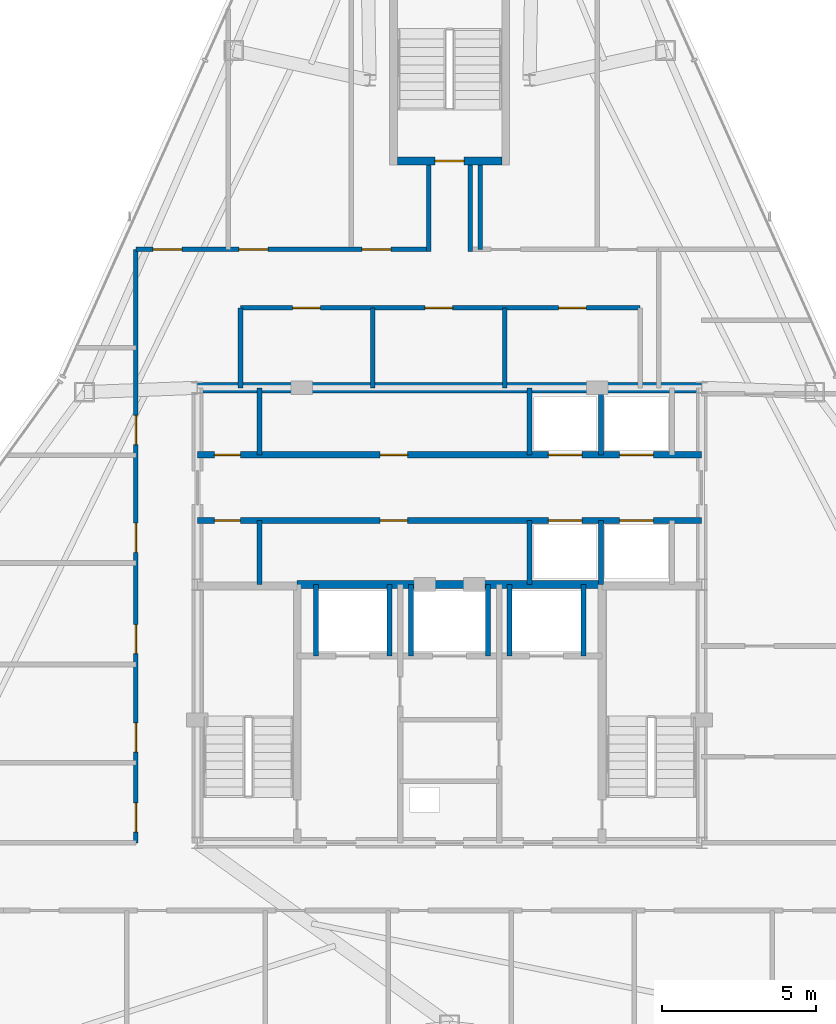
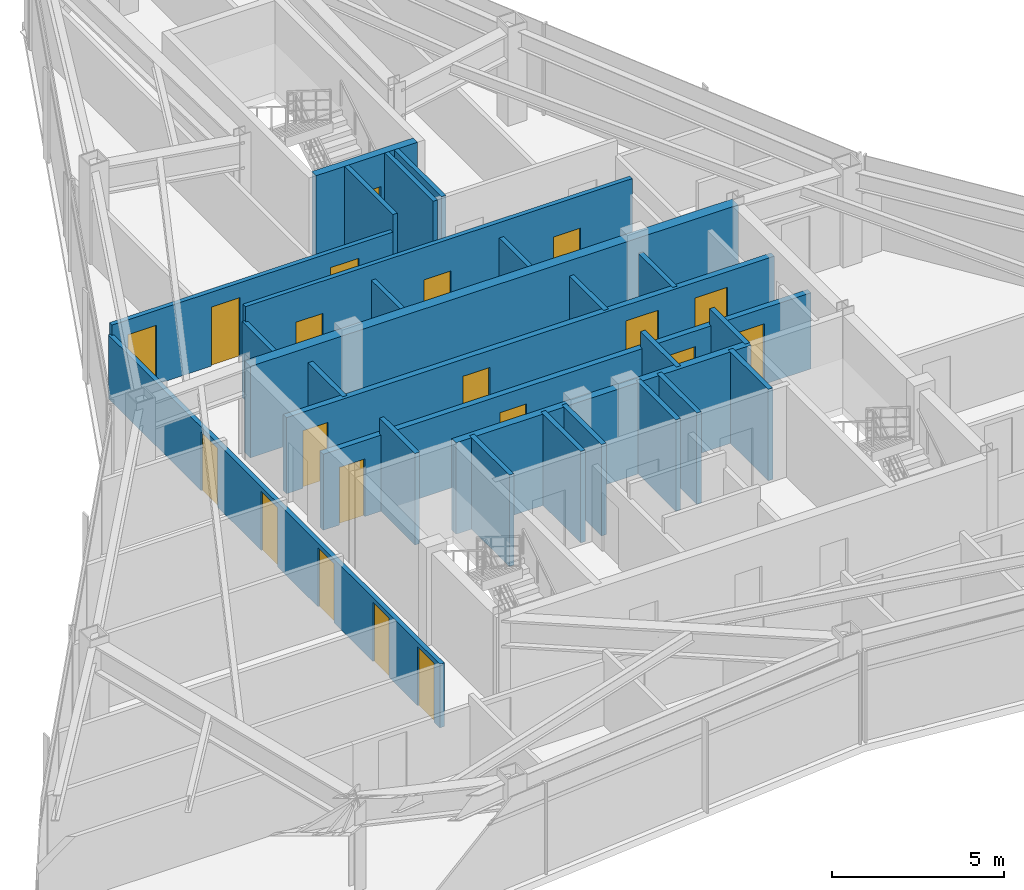
# One storey, part 10 of 12: 26 walls, 20 doors, 20 openings.
"""IFC4 building model written with IfcOpenShell, lengths in metres."""

from ifc_helpers import new_model, si_unit, direction, frame, frame_2d, origin, place, context, subcontext, project, spatial, rectangle, extrude, material, layer, layer_set, type_object, element, fill, save


model = new_model("IFC4")

# Units and contexts
model_context = context("Model", 3, precision=1e-05, world=origin(), true_north=direction((0.0, 1.0)))
body_context = subcontext(model_context, "Body", "Model", "MODEL_VIEW")
ifc_project = project(units=[si_unit("LENGTHUNIT", "METRE"), si_unit("AREAUNIT", "SQUARE_METRE"), si_unit("VOLUMEUNIT", "CUBIC_METRE"), si_unit("PLANEANGLEUNIT", "RADIAN"), si_unit("MASSUNIT", "GRAM", prefix="KILO")], contexts=[model_context])

# Site, building, storey
site_placement = place(None, origin())
site = spatial("IfcSite", under=ifc_project, at=site_placement, CompositionType="ELEMENT")
building_placement = place(site_placement, origin())
building = spatial("IfcBuilding", under=site, at=building_placement, Name="Varakhsha Concourse Tower", CompositionType="ELEMENT")
storey_placement = place(building_placement, frame((0.0, 0.0, 262.0)))
storey = spatial("IfcBuildingStorey", under=building, at=storey_placement, Name="L74", CompositionType="ELEMENT", Elevation=262.0)

# Wall
ifc_material_1 = material(Name="Concrete fc 65 MPa", Category="concrete")
ifc_layer_1 = layer(ifc_material_1, 0.35009765625, Name="WL-CORE-350")
ifc_layer_set_1 = layer_set([ifc_layer_1], Name="Concrete fc 65 MPa")
wall_type_1 = type_object("IfcWallType", Name="WL-CORE-350", PredefinedType="SHEAR", material=ifc_layer_set_1)
wall_1_placement = place(storey_placement, frame((31.800048828125, 31.199951171875, 0.0), z_axis=(0.0, 0.0, 1.0), x_axis=(1.0, 0.0, 0.0)))
element("IfcWall", 1, at=wall_1_placement, inside=storey, type_object=wall_type_1, Name="L74 Wall CWALL-N-L74", PredefinedType="SHEAR", context=body_context, shape_type="SweptSolid", body=[
    extrude(rectangle(XDim=16.39990234375, YDim=0.35009765625, at=frame_2d((8.199951171875, 0.0))), origin(), (0.0, 0.0, 1.0), 3.25),
])

# Wall, openings, doors
ifc_material_2 = material(Name="Fire-Rated Type X Gypsum Partition Assembly", Category="gypsum")
ifc_layer_2 = layer(ifc_material_2, 0.14990234375, Name="WL-PART-150")
ifc_layer_set_2 = layer_set([ifc_layer_2], Name="Fire-Rated Type X Gypsum Partition Assembly")
wall_type_2 = type_object("IfcWallType", Name="WL-PART-150", PredefinedType="PARTITIONING", material=ifc_layer_set_2)
wall_2_placement = place(storey_placement, frame((33.199951171875, 33.800048828125, 0.0), z_axis=(0.0, 0.0, 1.0), x_axis=(1.0, 0.0, 0.0)))
wall_2 = element("IfcWall", 2, at=wall_2_placement, inside=storey, type_object=wall_type_2, Name="L74 Wall NBOH-N-L74", PredefinedType="PARTITIONING", context=body_context, shape_type="SweptSolid", body=[
    extrude(rectangle(XDim=13.0, YDim=0.14990234375, at=frame_2d((6.5, 0.0))), origin(), (0.0, 0.0, 1.0), 3.25),
])
opening_1_placement = place(wall_2_placement, frame((1.699951171875, 0.0, 0.0)))
opening_1 = element("IfcOpeningElement", 3, at=opening_1_placement, cuts=wall_2, Name="Opening DF-06", PredefinedType="OPENING", context=body_context, shape_type="SweptSolid", body=[
    extrude(rectangle(XDim=0.89990234375, YDim=2.10009765625, at=frame_2d((0.449951171875, 1.050048828125))), frame((0.0, 0.0849609375, 0.0), z_axis=(0.0, -1.0, 0.0), x_axis=(1.0, 0.0, 0.0)), (0.0, 0.0, 1.0), 0.169921875),
])
opening_2_placement = place(wall_2_placement, frame((6.0, 0.0, 0.0)))
opening_2 = element("IfcOpeningElement", 4, at=opening_2_placement, cuts=wall_2, Name="Opening DF-06", PredefinedType="OPENING", context=body_context, shape_type="SweptSolid", body=[
    extrude(rectangle(XDim=0.89990234375, YDim=2.10009765625, at=frame_2d((0.449951171875, 1.050048828125))), frame((0.0, 0.0849609375, 0.0), z_axis=(0.0, -1.0, 0.0), x_axis=(1.0, 0.0, 0.0)), (0.0, 0.0, 1.0), 0.169921875),
])
opening_3_placement = place(wall_2_placement, frame((10.35009765625, 0.0, 0.0)))
opening_3 = element("IfcOpeningElement", 5, at=opening_3_placement, cuts=wall_2, Name="Opening DF-06", PredefinedType="OPENING", context=body_context, shape_type="SweptSolid", body=[
    extrude(rectangle(XDim=0.89990234375, YDim=2.10009765625, at=frame_2d((0.449951171875, 1.050048828125))), frame((0.0, 0.0849609375, 0.0), z_axis=(0.0, -1.0, 0.0), x_axis=(1.0, 0.0, 0.0)), (0.0, 0.0, 1.0), 0.169921875),
])
ifc_material_3 = material(Name="Hollow Galvanised Steel Fire Door Assembly", Category="steel")
door_type_1 = type_object("IfcDoorType", Name="DR-FD60-900", OperationType="NOTDEFINED", PredefinedType="DOOR", material=ifc_material_3)
door_1_placement = place(opening_1_placement, origin())
door_1 = element("IfcDoor", 6, at=door_1_placement, inside=storey, type_object=door_type_1, Name="L74 Men Restroom WC Door", OperationType="SINGLE_SWING_LEFT", OverallHeight=2.10009765625, OverallWidth=0.89990234375, PredefinedType="DOOR", context=body_context, shape_type="SweptSolid", body=[
    extrude(rectangle(XDim=0.89990234375, YDim=2.10009765625, at=frame_2d((0.449951171875, 1.050048828125))), frame((0.0, 0.02490234375, 0.0), z_axis=(0.0, -1.0, 0.0), x_axis=(1.0, 0.0, 0.0)), (0.0, 0.0, 1.0), 0.050048828125),
])
fill(opening_1, door_1)
door_2_placement = place(opening_2_placement, origin())
door_2 = element("IfcDoor", 7, at=door_2_placement, inside=storey, type_object=door_type_1, Name="L74 Women Restroom WC Door", OperationType="SINGLE_SWING_RIGHT", OverallHeight=2.10009765625, OverallWidth=0.89990234375, PredefinedType="DOOR", context=body_context, shape_type="SweptSolid", body=[
    extrude(rectangle(XDim=0.89990234375, YDim=2.10009765625, at=frame_2d((0.449951171875, 1.050048828125))), frame((0.0, 0.02490234375, 0.0), z_axis=(0.0, -1.0, 0.0), x_axis=(1.0, 0.0, 0.0)), (0.0, 0.0, 1.0), 0.050048828125),
])
fill(opening_2, door_2)
door_3_placement = place(opening_3_placement, origin())
door_3 = element("IfcDoor", 8, at=door_3_placement, inside=storey, type_object=door_type_1, Name="L74 Accessible WC Door", OperationType="SINGLE_SWING_LEFT", OverallHeight=2.10009765625, OverallWidth=0.89990234375, PredefinedType="DOOR", context=body_context, shape_type="SweptSolid", body=[
    extrude(rectangle(XDim=0.89990234375, YDim=2.10009765625, at=frame_2d((0.449951171875, 1.050048828125))), frame((0.0, 0.02490234375, 0.0), z_axis=(0.0, -1.0, 0.0), x_axis=(1.0, 0.0, 0.0)), (0.0, 0.0, 1.0), 0.050048828125),
])
fill(opening_3, door_3)

# Walls
for number, where, z_axis, x_axis, name in (
    (9, (33.199951171875, 31.199951171875, 0.0), (0.0, 0.0, 1.0), (0.0, 1.0, 0.0), "L74 Wall NBOH-W-L74"),
    (10, (37.5, 31.199951171875, 0.0), (0.0, 0.0, 1.0), (0.0, 1.0, 0.0), "L74 Wall NBOH-D1-L74"),
    (11, (41.800048828125, 31.199951171875, 0.0), (0.0, 0.0, 1.0), (0.0, 1.0, 0.0), "L74 Wall NBOH-D2-L74"),
):
    element("IfcWall", number, at=place(storey_placement, frame(where, z_axis=z_axis, x_axis=x_axis)), inside=storey, type_object=wall_type_2, Name=name, PredefinedType="PARTITIONING", context=body_context, shape_type="SweptSolid", body=[
        extrude(rectangle(XDim=2.60009765625, YDim=0.14990234375, at=frame_2d((1.300048828125, 0.0))), origin(), (0.0, 0.0, 1.0), 2.705078125),
    ])

# Wall, openings, doors
wall_3_placement = place(storey_placement, frame((29.800048828125, 16.39990234375, 0.0), z_axis=(0.0, 0.0, 1.0), x_axis=(0.0, 1.0, 0.0)))
wall_3 = element("IfcWall", 12, at=wall_3_placement, inside=storey, type_object=wall_type_2, Name="L74 Wall CRW-W-L74", PredefinedType="PARTITIONING", context=body_context, shape_type="SweptSolid", body=[
    extrude(rectangle(XDim=19.300048828125, YDim=0.14990234375, at=frame_2d((9.64990234375, 0.0))), origin(), (0.0, 0.0, 1.0), 2.264892578125),
])
opening_4_placement = place(wall_3_placement, frame((0.35009765625, 0.0, 0.0)))
opening_4 = element("IfcOpeningElement", 13, at=opening_4_placement, cuts=wall_3, Name="Opening DF-05", PredefinedType="OPENING", context=body_context, shape_type="SweptSolid", body=[
    extrude(rectangle(XDim=0.949951171875, YDim=2.10009765625, at=frame_2d((0.47509765625, 1.050048828125))), frame((0.0, 0.0849609375, 0.0), z_axis=(0.0, -1.0, 0.0), x_axis=(1.0, 0.0, 0.0)), (0.0, 0.0, 1.0), 0.169921875),
])
opening_5_placement = place(wall_3_placement, frame((2.949951171875, 0.0, 0.0)))
opening_5 = element("IfcOpeningElement", 14, at=opening_5_placement, cuts=wall_3, Name="Opening DF-05", PredefinedType="OPENING", context=body_context, shape_type="SweptSolid", body=[
    extrude(rectangle(XDim=0.949951171875, YDim=2.10009765625, at=frame_2d((0.47509765625, 1.050048828125))), frame((0.0, 0.0849609375, 0.0), z_axis=(0.0, -1.0, 0.0), x_axis=(1.0, 0.0, 0.0)), (0.0, 0.0, 1.0), 0.169921875),
])
opening_6_placement = place(wall_3_placement, frame((6.14990234375, 0.0, 0.0)))
opening_6 = element("IfcOpeningElement", 15, at=opening_6_placement, cuts=wall_3, Name="Opening DF-05", PredefinedType="OPENING", context=body_context, shape_type="SweptSolid", body=[
    extrude(rectangle(XDim=0.949951171875, YDim=2.10009765625, at=frame_2d((0.47509765625, 1.050048828125))), frame((0.0, 0.0849609375, 0.0), z_axis=(0.0, -1.0, 0.0), x_axis=(1.0, 0.0, 0.0)), (0.0, 0.0, 1.0), 0.169921875),
])
opening_7_placement = place(wall_3_placement, frame((9.449951171875, 0.0, 0.0)))
opening_7 = element("IfcOpeningElement", 16, at=opening_7_placement, cuts=wall_3, Name="Opening DF-05", PredefinedType="OPENING", context=body_context, shape_type="SweptSolid", body=[
    extrude(rectangle(XDim=0.949951171875, YDim=2.10009765625, at=frame_2d((0.47509765625, 1.050048828125))), frame((0.0, 0.0849609375, 0.0), z_axis=(0.0, -1.0, 0.0), x_axis=(1.0, 0.0, 0.0)), (0.0, 0.0, 1.0), 0.169921875),
])
opening_8_placement = place(wall_3_placement, frame((12.949951171875, 0.0, 0.0)))
opening_8 = element("IfcOpeningElement", 17, at=opening_8_placement, cuts=wall_3, Name="Opening DF-05", PredefinedType="OPENING", context=body_context, shape_type="SweptSolid", body=[
    extrude(rectangle(XDim=0.949951171875, YDim=2.10009765625, at=frame_2d((0.47509765625, 1.050048828125))), frame((0.0, 0.0849609375, 0.0), z_axis=(0.0, -1.0, 0.0), x_axis=(1.0, 0.0, 0.0)), (0.0, 0.0, 1.0), 0.169921875),
])
door_type_2 = type_object("IfcDoorType", Name="DR-FD60-950", OperationType="NOTDEFINED", PredefinedType="DOOR", material=ifc_material_3)
door_4_placement = place(opening_4_placement, origin())
door_4 = element("IfcDoor", 18, at=door_4_placement, inside=storey, type_object=door_type_2, Name="L74 Lab Staff Refreshment Kitchen L74 Door", OperationType="SINGLE_SWING_RIGHT", OverallHeight=2.10009765625, OverallWidth=0.949951171875, PredefinedType="DOOR", context=body_context, shape_type="SweptSolid", body=[
    extrude(rectangle(XDim=0.949951171875, YDim=2.10009765625, at=frame_2d((0.47509765625, 1.050048828125))), frame((0.0, 0.02490234375, 0.0), z_axis=(0.0, -1.0, 0.0), x_axis=(1.0, 0.0, 0.0)), (0.0, 0.0, 1.0), 0.050048828125),
])
fill(opening_4, door_4)
door_5_placement = place(opening_5_placement, origin())
door_5 = element("IfcDoor", 19, at=door_5_placement, inside=storey, type_object=door_type_2, Name="L74 Dry R&D Design Lab L74-W2 Door", OperationType="SINGLE_SWING_LEFT", OverallHeight=2.10009765625, OverallWidth=0.949951171875, PredefinedType="DOOR", context=body_context, shape_type="SweptSolid", body=[
    extrude(rectangle(XDim=0.949951171875, YDim=2.10009765625, at=frame_2d((0.47509765625, 1.050048828125))), frame((0.0, 0.02490234375, 0.0), z_axis=(0.0, -1.0, 0.0), x_axis=(1.0, 0.0, 0.0)), (0.0, 0.0, 1.0), 0.050048828125),
])
fill(opening_5, door_5)
door_6_placement = place(opening_6_placement, origin())
door_6 = element("IfcDoor", 20, at=door_6_placement, inside=storey, type_object=door_type_2, Name="L74 Dry R&D Design Lab L74-W3 Door", OperationType="SINGLE_SWING_RIGHT", OverallHeight=2.10009765625, OverallWidth=0.949951171875, PredefinedType="DOOR", context=body_context, shape_type="SweptSolid", body=[
    extrude(rectangle(XDim=0.949951171875, YDim=2.10009765625, at=frame_2d((0.47509765625, 1.050048828125))), frame((0.0, 0.02490234375, 0.0), z_axis=(0.0, -1.0, 0.0), x_axis=(1.0, 0.0, 0.0)), (0.0, 0.0, 1.0), 0.050048828125),
])
fill(opening_6, door_6)
door_7_placement = place(opening_7_placement, origin())
door_7 = element("IfcDoor", 21, at=door_7_placement, inside=storey, type_object=door_type_2, Name="L74 Dry R&D Design Lab L74-W4 Door", OperationType="SINGLE_SWING_LEFT", OverallHeight=2.10009765625, OverallWidth=0.949951171875, PredefinedType="DOOR", context=body_context, shape_type="SweptSolid", body=[
    extrude(rectangle(XDim=0.949951171875, YDim=2.10009765625, at=frame_2d((0.47509765625, 1.050048828125))), frame((0.0, 0.02490234375, 0.0), z_axis=(0.0, -1.0, 0.0), x_axis=(1.0, 0.0, 0.0)), (0.0, 0.0, 1.0), 0.050048828125),
])
fill(opening_7, door_7)
door_8_placement = place(opening_8_placement, origin())
door_8 = element("IfcDoor", 22, at=door_8_placement, inside=storey, type_object=door_type_2, Name="L74 Dry R&D Design Lab L74-W5 Door", OperationType="SINGLE_SWING_RIGHT", OverallHeight=2.10009765625, OverallWidth=0.949951171875, PredefinedType="DOOR", context=body_context, shape_type="SweptSolid", body=[
    extrude(rectangle(XDim=0.949951171875, YDim=2.10009765625, at=frame_2d((0.47509765625, 1.050048828125))), frame((0.0, 0.02490234375, 0.0), z_axis=(0.0, -1.0, 0.0), x_axis=(1.0, 0.0, 0.0)), (0.0, 0.0, 1.0), 0.050048828125),
])
fill(opening_8, door_8)

wall_4_placement = place(storey_placement, frame((29.800048828125, 35.699951171875, 0.0), z_axis=(0.0, 0.0, 1.0), x_axis=(1.0, 0.0, 0.0)))
wall_4 = element("IfcWall", 23, at=wall_4_placement, inside=storey, type_object=wall_type_2, Name="L74 Wall CRW-N-L74", PredefinedType="PARTITIONING", context=body_context, shape_type="SweptSolid", body=[
    extrude(rectangle(XDim=9.449951171875, YDim=0.14990234375, at=frame_2d((4.72509765625, 0.0))), origin(), (0.0, 0.0, 1.0), 2.6279296875),
])
opening_9_placement = place(wall_4_placement, frame((0.550048828125, 0.0, 0.0)))
opening_9 = element("IfcOpeningElement", 24, at=opening_9_placement, cuts=wall_4, Name="Opening DF-05", PredefinedType="OPENING", context=body_context, shape_type="SweptSolid", body=[
    extrude(rectangle(XDim=0.949951171875, YDim=2.10009765625, at=frame_2d((0.47509765625, 1.050048828125))), frame((0.0, 0.0849609375, 0.0), z_axis=(0.0, -1.0, 0.0), x_axis=(1.0, 0.0, 0.0)), (0.0, 0.0, 1.0), 0.169921875),
])
opening_10_placement = place(wall_4_placement, frame((3.35009765625, 0.0, 0.0)))
opening_10 = element("IfcOpeningElement", 25, at=opening_10_placement, cuts=wall_4, Name="Opening DF-05", PredefinedType="OPENING", context=body_context, shape_type="SweptSolid", body=[
    extrude(rectangle(XDim=0.949951171875, YDim=2.10009765625, at=frame_2d((0.47509765625, 1.050048828125))), frame((0.0, 0.0849609375, 0.0), z_axis=(0.0, -1.0, 0.0), x_axis=(1.0, 0.0, 0.0)), (0.0, 0.0, 1.0), 0.169921875),
])
opening_11_placement = place(wall_4_placement, frame((7.35009765625, 0.0, 0.0)))
opening_11 = element("IfcOpeningElement", 26, at=opening_11_placement, cuts=wall_4, Name="Opening DF-05", PredefinedType="OPENING", context=body_context, shape_type="SweptSolid", body=[
    extrude(rectangle(XDim=0.949951171875, YDim=2.10009765625, at=frame_2d((0.47509765625, 1.050048828125))), frame((0.0, 0.0849609375, 0.0), z_axis=(0.0, -1.0, 0.0), x_axis=(1.0, 0.0, 0.0)), (0.0, 0.0, 1.0), 0.169921875),
])
door_9_placement = place(opening_9_placement, origin())
door_9 = element("IfcDoor", 27, at=door_9_placement, inside=storey, type_object=door_type_2, Name="L74 Mountain View BIM Coordination Workroom L74-N1 Door", OperationType="SINGLE_SWING_LEFT", OverallHeight=2.10009765625, OverallWidth=0.949951171875, PredefinedType="DOOR", context=body_context, shape_type="SweptSolid", body=[
    extrude(rectangle(XDim=0.949951171875, YDim=2.10009765625, at=frame_2d((0.47509765625, 1.050048828125))), frame((0.0, 0.02490234375, 0.0), z_axis=(0.0, -1.0, 0.0), x_axis=(1.0, 0.0, 0.0)), (0.0, 0.0, 1.0), 0.050048828125),
])
fill(opening_9, door_9)
door_10_placement = place(opening_10_placement, origin())
door_10 = element("IfcDoor", 28, at=door_10_placement, inside=storey, type_object=door_type_2, Name="L74 North Dry R&D Design Lab L74-N2 Door", OperationType="SINGLE_SWING_RIGHT", OverallHeight=2.10009765625, OverallWidth=0.949951171875, PredefinedType="DOOR", context=body_context, shape_type="SweptSolid", body=[
    extrude(rectangle(XDim=0.949951171875, YDim=2.10009765625, at=frame_2d((0.47509765625, 1.050048828125))), frame((0.0, 0.02490234375, 0.0), z_axis=(0.0, -1.0, 0.0), x_axis=(1.0, 0.0, 0.0)), (0.0, 0.0, 1.0), 0.050048828125),
])
fill(opening_10, door_10)
door_11_placement = place(opening_11_placement, origin())
door_11 = element("IfcDoor", 29, at=door_11_placement, inside=storey, type_object=door_type_2, Name="L74 North Dry R&D Design Lab L74-N3 Door", OperationType="SINGLE_SWING_LEFT", OverallHeight=2.10009765625, OverallWidth=0.949951171875, PredefinedType="DOOR", context=body_context, shape_type="SweptSolid", body=[
    extrude(rectangle(XDim=0.949951171875, YDim=2.10009765625, at=frame_2d((0.47509765625, 1.050048828125))), frame((0.0, 0.02490234375, 0.0), z_axis=(0.0, -1.0, 0.0), x_axis=(1.0, 0.0, 0.0)), (0.0, 0.0, 1.0), 0.050048828125),
])
fill(opening_11, door_11)

# Walls
wall_5_placement = place(storey_placement, frame((41.0, 35.699951171875, 0.0), z_axis=(0.0, 0.0, 1.0), x_axis=(0.0, 1.0, 0.0)))
element("IfcWall", 30, at=wall_5_placement, inside=storey, type_object=wall_type_2, Name="L74 Wall ODIV-N3-L74", PredefinedType="PARTITIONING", context=body_context, shape_type="SweptSolid", body=[
    extrude(rectangle(XDim=2.75, YDim=0.14990234375, at=frame_2d((1.375, 0.0))), origin(), (0.0, 0.0, 1.0), 3.25),
])
for number, where, z_axis, x_axis, name in (
    (31, (39.324951171875, 35.625, 0.0), (0.0, 0.0, 1.0), (0.0, 1.0, 0.0), "L74 Wall STUB-W-L74"),
    (32, (40.675048828125, 35.625, 0.0), (0.0, 0.0, 1.0), (0.0, 1.0, 0.0), "L74 Wall STUB-E-L74"),
):
    element("IfcWall", number, at=place(storey_placement, frame(where, z_axis=z_axis, x_axis=x_axis)), inside=storey, type_object=wall_type_2, Name=name, PredefinedType="PARTITIONING", context=body_context, shape_type="SweptSolid", body=[
        extrude(rectangle(XDim=2.824951171875, YDim=0.14990234375, at=frame_2d((1.41259765625, 0.0))), origin(), (0.0, 0.0, 1.0), 3.25),
    ])
ifc_layer_3 = layer(ifc_material_2, 0.199951171875, Name="WL-SHAFT-220")
ifc_layer_set_3 = layer_set([ifc_layer_3], Name="Fire-Rated Type X Gypsum Partition Assembly")
wall_type_3 = type_object("IfcWallType", Name="WL-SHAFT-220", PredefinedType="SOLIDWALL", material=ifc_layer_set_3)
for number, where, z_axis, x_axis, name in (
    (33, (35.64990234375, 22.47998046875, 0.0), (0.0, 0.0, 1.0), (0.0, 1.0, 0.0), "L74 Wall SHW-FFL-1-W-L74"),
    (34, (38.050048828125, 22.47998046875, 0.0), (0.0, 0.0, 1.0), (0.0, 1.0, 0.0), "L74 Wall SHW-FFL-1-E-L74"),
    (35, (41.949951171875, 22.47998046875, 0.0), (0.0, 0.0, 1.0), (0.0, 1.0, 0.0), "L74 Wall SHW-FFL-2-W-L74"),
    (36, (44.35009765625, 22.47998046875, 0.0), (0.0, 0.0, 1.0), (0.0, 1.0, 0.0), "L74 Wall SHW-FFL-2-E-L74"),
    (37, (38.75, 22.47998046875, 0.0), (0.0, 0.0, 1.0), (0.0, 1.0, 0.0), "L74 Wall SHW-SVL-1-W-L74"),
    (38, (41.25, 22.47998046875, 0.0), (0.0, 0.0, 1.0), (0.0, 1.0, 0.0), "L74 Wall SHW-SVL-1-E-L74"),
):
    element("IfcWall", number, at=place(storey_placement, frame(where, z_axis=z_axis, x_axis=x_axis)), inside=storey, type_object=wall_type_3, Name=name, PredefinedType="SOLIDWALL", context=body_context, shape_type="SweptSolid", body=[
        extrude(rectangle(XDim=2.320068359375, YDim=0.159912109375, at=frame_2d((1.16015625, 0.0))), origin(), (0.0, 0.0, 1.0), 3.25),
    ])

# Wall, openings, doors
wall_6_placement = place(storey_placement, frame((31.800048828125, 29.02001953125, 0.0), z_axis=(0.0, 0.0, 1.0), x_axis=(1.0, 0.0, 0.0)))
wall_6 = element("IfcWall", 39, at=wall_6_placement, inside=storey, type_object=wall_type_3, Name="L74 Wall PLW-N-L74", PredefinedType="SOLIDWALL", context=body_context, shape_type="SweptSolid", body=[
    extrude(rectangle(XDim=16.39990234375, YDim=0.199951171875, at=frame_2d((8.199951171875, 0.0))), origin(), (0.0, 0.0, 1.0), 2.705078125),
])
opening_12_placement = place(wall_6_placement, frame((0.550048828125, 0.0, 0.0)))
opening_12 = element("IfcOpeningElement", 40, at=opening_12_placement, cuts=wall_6, Name="Opening DF-07", PredefinedType="OPENING", context=body_context, shape_type="SweptSolid", body=[
    extrude(rectangle(XDim=0.85009765625, YDim=2.050048828125, at=frame_2d((0.425048828125, 1.02490234375))), frame((0.0, 0.10986328125, 0.0), z_axis=(0.0, -1.0, 0.0), x_axis=(1.0, 0.0, 0.0)), (0.0, 0.0, 1.0), 0.219970703125),
])
opening_13_placement = place(wall_6_placement, frame((5.93994140625, 0.0, 0.0)))
opening_13 = element("IfcOpeningElement", 41, at=opening_13_placement, cuts=wall_6, Name="Opening DF-06", PredefinedType="OPENING", context=body_context, shape_type="SweptSolid", body=[
    extrude(rectangle(XDim=0.89990234375, YDim=2.10009765625, at=frame_2d((0.449951171875, 1.050048828125))), frame((0.0, 0.10986328125, 0.0), z_axis=(0.0, -1.0, 0.0), x_axis=(1.0, 0.0, 0.0)), (0.0, 0.0, 1.0), 0.219970703125),
])
opening_14_placement = place(wall_6_placement, frame((11.409912109375, 0.0, 0.0)))
opening_14 = element("IfcOpeningElement", 42, at=opening_14_placement, cuts=wall_6, Name="Opening LD-LF-P09", PredefinedType="OPENING", context=body_context, shape_type="SweptSolid", body=[
    extrude(rectangle(XDim=1.10009765625, YDim=2.14990234375, at=frame_2d((0.550048828125, 1.074951171875))), frame((0.0, 0.10986328125, 0.0), z_axis=(0.0, -1.0, 0.0), x_axis=(1.0, 0.0, 0.0)), (0.0, 0.0, 1.0), 0.219970703125),
])
opening_15_placement = place(wall_6_placement, frame((13.72998046875, 0.0, 0.0)))
opening_15 = element("IfcOpeningElement", 43, at=opening_15_placement, cuts=wall_6, Name="Opening LD-LF-P10", PredefinedType="OPENING", context=body_context, shape_type="SweptSolid", body=[
    extrude(rectangle(XDim=1.10009765625, YDim=2.14990234375, at=frame_2d((0.550048828125, 1.074951171875))), frame((0.0, 0.10986328125, 0.0), z_axis=(0.0, -1.0, 0.0), x_axis=(1.0, 0.0, 0.0)), (0.0, 0.0, 1.0), 0.219970703125),
])
door_type_3 = type_object("IfcDoorType", Name="DR-FD60-850", OperationType="NOTDEFINED", PredefinedType="DOOR", material=ifc_material_3)
door_12_placement = place(opening_12_placement, origin())
door_12 = element("IfcDoor", 44, at=door_12_placement, inside=storey, type_object=door_type_3, Name="L74 Core Janitor Closet Door", OperationType="SINGLE_SWING_LEFT", OverallHeight=2.050048828125, OverallWidth=0.85009765625, PredefinedType="DOOR", context=body_context, shape_type="SweptSolid", body=[
    extrude(rectangle(XDim=0.85009765625, YDim=2.050048828125, at=frame_2d((0.425048828125, 1.02490234375))), frame((0.0, 0.02490234375, 0.0), z_axis=(0.0, -1.0, 0.0), x_axis=(1.0, 0.0, 0.0)), (0.0, 0.0, 1.0), 0.050048828125),
])
fill(opening_12, door_12)
door_13_placement = place(opening_13_placement, origin())
door_13 = element("IfcDoor", 45, at=door_13_placement, inside=storey, type_object=door_type_1, Name="L74 Tenant Archive and IT Server Room Door", OperationType="SINGLE_SWING_LEFT", OverallHeight=2.10009765625, OverallWidth=0.89990234375, PredefinedType="DOOR", context=body_context, shape_type="SweptSolid", body=[
    extrude(rectangle(XDim=0.89990234375, YDim=2.10009765625, at=frame_2d((0.449951171875, 1.050048828125))), frame((0.0, 0.02490234375, 0.0), z_axis=(0.0, -1.0, 0.0), x_axis=(1.0, 0.0, 0.0)), (0.0, 0.0, 1.0), 0.050048828125),
])
fill(opening_13, door_13)
ifc_material_4 = material(Name="Brushed Austenitic Stainless Steel AISI 316", Category="steel")
door_type_4 = type_object("IfcDoorType", Name="DR-LD-1100", OperationType="DOUBLE_DOOR_SLIDING", PredefinedType="DOOR", material=ifc_material_4)
door_14_placement = place(opening_14_placement, origin())
door_14 = element("IfcDoor", 46, at=door_14_placement, inside=storey, type_object=door_type_4, Name="Lift Landing Door LF-P09 L74", OperationType="DOUBLE_DOOR_SLIDING", OverallHeight=2.14990234375, OverallWidth=1.10009765625, PredefinedType="DOOR", context=body_context, shape_type="SweptSolid", body=[
    extrude(rectangle(XDim=1.10009765625, YDim=2.14990234375, at=frame_2d((0.550048828125, 1.074951171875))), frame((0.0, 0.02490234375, 0.0), z_axis=(0.0, -1.0, 0.0), x_axis=(1.0, 0.0, 0.0)), (0.0, 0.0, 1.0), 0.050048828125),
])
fill(opening_14, door_14)
door_15_placement = place(opening_15_placement, origin())
door_15 = element("IfcDoor", 47, at=door_15_placement, inside=storey, type_object=door_type_4, Name="Lift Landing Door LF-P10 L74", OperationType="DOUBLE_DOOR_SLIDING", OverallHeight=2.14990234375, OverallWidth=1.10009765625, PredefinedType="DOOR", context=body_context, shape_type="SweptSolid", body=[
    extrude(rectangle(XDim=1.10009765625, YDim=2.14990234375, at=frame_2d((0.550048828125, 1.074951171875))), frame((0.0, 0.02490234375, 0.0), z_axis=(0.0, -1.0, 0.0), x_axis=(1.0, 0.0, 0.0)), (0.0, 0.0, 1.0), 0.050048828125),
])
fill(opening_15, door_15)

wall_7_placement = place(storey_placement, frame((31.800048828125, 26.8798828125, 0.0), z_axis=(0.0, 0.0, 1.0), x_axis=(1.0, 0.0, 0.0)))
wall_7 = element("IfcWall", 48, at=wall_7_placement, inside=storey, type_object=wall_type_3, Name="L74 Wall PLW-S-L74", PredefinedType="SOLIDWALL", context=body_context, shape_type="SweptSolid", body=[
    extrude(rectangle(XDim=16.39990234375, YDim=0.199951171875, at=frame_2d((8.199951171875, 0.0))), origin(), (0.0, 0.0, 1.0), 2.705078125),
])
opening_16_placement = place(wall_7_placement, frame((0.550048828125, 0.0, 0.0)))
opening_16 = element("IfcOpeningElement", 49, at=opening_16_placement, cuts=wall_7, Name="Opening DF-07", PredefinedType="OPENING", context=body_context, shape_type="SweptSolid", body=[
    extrude(rectangle(XDim=0.85009765625, YDim=2.050048828125, at=frame_2d((0.425048828125, 1.02490234375))), frame((0.0, 0.10986328125, 0.0), z_axis=(0.0, -1.0, 0.0), x_axis=(1.0, 0.0, 0.0)), (0.0, 0.0, 1.0), 0.219970703125),
])
opening_17_placement = place(wall_7_placement, frame((5.93994140625, 0.0, 0.0)))
opening_17 = element("IfcOpeningElement", 50, at=opening_17_placement, cuts=wall_7, Name="Opening DF-06", PredefinedType="OPENING", context=body_context, shape_type="SweptSolid", body=[
    extrude(rectangle(XDim=0.89990234375, YDim=2.10009765625, at=frame_2d((0.449951171875, 1.050048828125))), frame((0.0, 0.10986328125, 0.0), z_axis=(0.0, -1.0, 0.0), x_axis=(1.0, 0.0, 0.0)), (0.0, 0.0, 1.0), 0.219970703125),
])
opening_18_placement = place(wall_7_placement, frame((11.409912109375, 0.0, 0.0)))
opening_18 = element("IfcOpeningElement", 51, at=opening_18_placement, cuts=wall_7, Name="Opening LD-LF-P11", PredefinedType="OPENING", context=body_context, shape_type="SweptSolid", body=[
    extrude(rectangle(XDim=1.10009765625, YDim=2.14990234375, at=frame_2d((0.550048828125, 1.074951171875))), frame((0.0, 0.10986328125, 0.0), z_axis=(0.0, -1.0, 0.0), x_axis=(1.0, 0.0, 0.0)), (0.0, 0.0, 1.0), 0.219970703125),
])
opening_19_placement = place(wall_7_placement, frame((13.72998046875, 0.0, 0.0)))
opening_19 = element("IfcOpeningElement", 52, at=opening_19_placement, cuts=wall_7, Name="Opening LD-LF-P12", PredefinedType="OPENING", context=body_context, shape_type="SweptSolid", body=[
    extrude(rectangle(XDim=1.10009765625, YDim=2.14990234375, at=frame_2d((0.550048828125, 1.074951171875))), frame((0.0, 0.10986328125, 0.0), z_axis=(0.0, -1.0, 0.0), x_axis=(1.0, 0.0, 0.0)), (0.0, 0.0, 1.0), 0.219970703125),
])
door_16_placement = place(opening_16_placement, origin())
door_16 = element("IfcDoor", 53, at=door_16_placement, inside=storey, type_object=door_type_3, Name="L74 Core Telecoms Closet Door", OperationType="SINGLE_SWING_RIGHT", OverallHeight=2.050048828125, OverallWidth=0.85009765625, PredefinedType="DOOR", context=body_context, shape_type="SweptSolid", body=[
    extrude(rectangle(XDim=0.85009765625, YDim=2.050048828125, at=frame_2d((0.425048828125, 1.02490234375))), frame((0.0, 0.02490234375, 0.0), z_axis=(0.0, -1.0, 0.0), x_axis=(1.0, 0.0, 0.0)), (0.0, 0.0, 1.0), 0.050048828125),
])
fill(opening_16, door_16)
door_17_placement = place(opening_17_placement, origin())
door_17 = element("IfcDoor", 54, at=door_17_placement, inside=storey, type_object=door_type_1, Name="L74 Executive Pantry and Copy Suite Door", OperationType="SINGLE_SWING_RIGHT", OverallHeight=2.10009765625, OverallWidth=0.89990234375, PredefinedType="DOOR", context=body_context, shape_type="SweptSolid", body=[
    extrude(rectangle(XDim=0.89990234375, YDim=2.10009765625, at=frame_2d((0.449951171875, 1.050048828125))), frame((0.0, 0.02490234375, 0.0), z_axis=(0.0, -1.0, 0.0), x_axis=(1.0, 0.0, 0.0)), (0.0, 0.0, 1.0), 0.050048828125),
])
fill(opening_17, door_17)
door_18_placement = place(opening_18_placement, origin())
door_18 = element("IfcDoor", 55, at=door_18_placement, inside=storey, type_object=door_type_4, Name="Lift Landing Door LF-P11 L74", OperationType="DOUBLE_DOOR_SLIDING", OverallHeight=2.14990234375, OverallWidth=1.10009765625, PredefinedType="DOOR", context=body_context, shape_type="SweptSolid", body=[
    extrude(rectangle(XDim=1.10009765625, YDim=2.14990234375, at=frame_2d((0.550048828125, 1.074951171875))), frame((0.0, 0.02490234375, 0.0), z_axis=(0.0, -1.0, 0.0), x_axis=(1.0, 0.0, 0.0)), (0.0, 0.0, 1.0), 0.050048828125),
])
fill(opening_18, door_18)
door_19_placement = place(opening_19_placement, origin())
door_19 = element("IfcDoor", 56, at=door_19_placement, inside=storey, type_object=door_type_4, Name="Lift Landing Door LF-P12 L74", OperationType="DOUBLE_DOOR_SLIDING", OverallHeight=2.14990234375, OverallWidth=1.10009765625, PredefinedType="DOOR", context=body_context, shape_type="SweptSolid", body=[
    extrude(rectangle(XDim=1.10009765625, YDim=2.14990234375, at=frame_2d((0.550048828125, 1.074951171875))), frame((0.0, 0.02490234375, 0.0), z_axis=(0.0, -1.0, 0.0), x_axis=(1.0, 0.0, 0.0)), (0.0, 0.0, 1.0), 0.050048828125),
])
fill(opening_19, door_19)

# Walls
wall_8_placement = place(storey_placement, frame((33.820068359375, 29.02001953125, 0.0), z_axis=(0.0, 0.0, 1.0), x_axis=(0.0, 1.0, 0.0)))
element("IfcWall", 57, at=wall_8_placement, inside=storey, type_object=wall_type_3, Name="L74 Wall WBOH-E1-L74", PredefinedType="SOLIDWALL", context=body_context, shape_type="SweptSolid", body=[
    extrude(rectangle(XDim=2.179931640625, YDim=0.159912109375, at=frame_2d((1.08984375, 0.0))), origin(), (0.0, 0.0, 1.0), 2.705078125),
])
wall_9_placement = place(storey_placement, frame((33.820068359375, 24.800048828125, 0.0), z_axis=(0.0, 0.0, 1.0), x_axis=(0.0, 1.0, 0.0)))
element("IfcWall", 58, at=wall_9_placement, inside=storey, type_object=wall_type_3, Name="L74 Wall WBOH-E2-L74", PredefinedType="SOLIDWALL", context=body_context, shape_type="SweptSolid", body=[
    extrude(rectangle(XDim=2.079833984375, YDim=0.159912109375, at=frame_2d((1.0400390625, 0.0))), origin(), (0.0, 0.0, 1.0), 3.25),
])
for number, where, z_axis, x_axis, name in (
    (59, (42.60009765625, 29.02001953125, 0.0), (0.0, 0.0, 1.0), (0.0, 1.0, 0.0), "L74 Wall SHW-LF-P09-W-L74"),
    (60, (44.919921875, 29.02001953125, 0.0), (0.0, 0.0, 1.0), (0.0, 1.0, 0.0), "L74 Wall SHW-LF-P09-E-L74"),
):
    element("IfcWall", number, at=place(storey_placement, frame(where, z_axis=z_axis, x_axis=x_axis)), inside=storey, type_object=wall_type_3, Name=name, PredefinedType="SOLIDWALL", context=body_context, shape_type="SweptSolid", body=[
        extrude(rectangle(XDim=2.179931640625, YDim=0.159912109375, at=frame_2d((1.08984375, 0.0))), origin(), (0.0, 0.0, 1.0), 2.705078125),
    ])
for number, where, z_axis, x_axis, name in (
    (61, (42.60009765625, 24.800048828125, 0.0), (0.0, 0.0, 1.0), (0.0, 1.0, 0.0), "L74 Wall SHW-LF-P11-W-L74"),
    (62, (44.919921875, 24.800048828125, 0.0), (0.0, 0.0, 1.0), (0.0, 1.0, 0.0), "L74 Wall SHW-LF-P11-E-L74"),
):
    element("IfcWall", number, at=place(storey_placement, frame(where, z_axis=z_axis, x_axis=x_axis)), inside=storey, type_object=wall_type_3, Name=name, PredefinedType="SOLIDWALL", context=body_context, shape_type="SweptSolid", body=[
        extrude(rectangle(XDim=2.079833984375, YDim=0.159912109375, at=frame_2d((1.0400390625, 0.0))), origin(), (0.0, 0.0, 1.0), 3.25),
    ])
ifc_material_5 = material(Name="Concrete fc 45 MPa", Category="concrete")
ifc_layer_4 = layer(ifc_material_5, 0.25, Name="WL-STAIR-250")
ifc_layer_set_4 = layer_set([ifc_layer_4], Name="Concrete fc 45 MPa")
wall_type_4 = type_object("IfcWallType", Name="WL-STAIR-250", PredefinedType="SHEAR", material=ifc_layer_set_4)
wall_10_placement = place(storey_placement, frame((35.044921875, 24.800048828125, 0.0), z_axis=(0.0, 0.0, 1.0), x_axis=(1.0, 0.0, 0.0)))
element("IfcWall", 63, at=wall_10_placement, inside=storey, type_object=wall_type_4, Name="L74 Wall SWALL-MID-H-L74", PredefinedType="SHEAR", context=body_context, shape_type="SweptSolid", body=[
    extrude(rectangle(XDim=9.91015625, YDim=0.25, at=frame_2d((4.955078125, 0.0))), origin(), (0.0, 0.0, 1.0), 3.25),
])

# Wall, opening, door
wall_11_placement = place(storey_placement, frame((38.300048828125, 38.574951171875, 0.0), z_axis=(0.0, 0.0, 1.0), x_axis=(1.0, 0.0, 0.0)))
wall_11 = element("IfcWall", 64, at=wall_11_placement, inside=storey, type_object=wall_type_4, Name="L74 Wall SWALL-ST5-S-L74", PredefinedType="SHEAR", context=body_context, shape_type="SweptSolid", body=[
    extrude(rectangle(XDim=3.39990234375, YDim=0.25, at=frame_2d((1.699951171875, 0.0))), origin(), (0.0, 0.0, 1.0), 3.25),
])
opening_20_placement = place(wall_11_placement, frame((1.22509765625, 0.0, 0.0)))
opening_20 = element("IfcOpeningElement", 65, at=opening_20_placement, cuts=wall_11, Name="Opening DF-03", PredefinedType="OPENING", context=body_context, shape_type="SweptSolid", body=[
    extrude(rectangle(XDim=0.949951171875, YDim=2.10009765625, at=frame_2d((0.47509765625, 1.050048828125))), frame((0.0, 0.135009765625, 0.0), z_axis=(0.0, -1.0, 0.0), x_axis=(1.0, 0.0, 0.0)), (0.0, 0.0, 1.0), 0.27001953125),
])
door_type_5 = type_object("IfcDoorType", Name="DR-FD90-950", OperationType="NOTDEFINED", PredefinedType="DOOR", material=ifc_material_3)
door_20_placement = place(opening_20_placement, origin())
door_20 = element("IfcDoor", 66, at=door_20_placement, inside=storey, type_object=door_type_5, Name="L74 Stair ST5 Fire Door", OperationType="SINGLE_SWING_RIGHT", OverallHeight=2.10009765625, OverallWidth=0.949951171875, PredefinedType="DOOR", context=body_context, shape_type="SweptSolid", body=[
    extrude(rectangle(XDim=0.949951171875, YDim=2.10009765625, at=frame_2d((0.47509765625, 1.050048828125))), frame((0.0, 0.02490234375, 0.0), z_axis=(0.0, -1.0, 0.0), x_axis=(1.0, 0.0, 0.0)), (0.0, 0.0, 1.0), 0.050048828125),
])
fill(opening_20, door_20)

save(model, "model.ifc")
